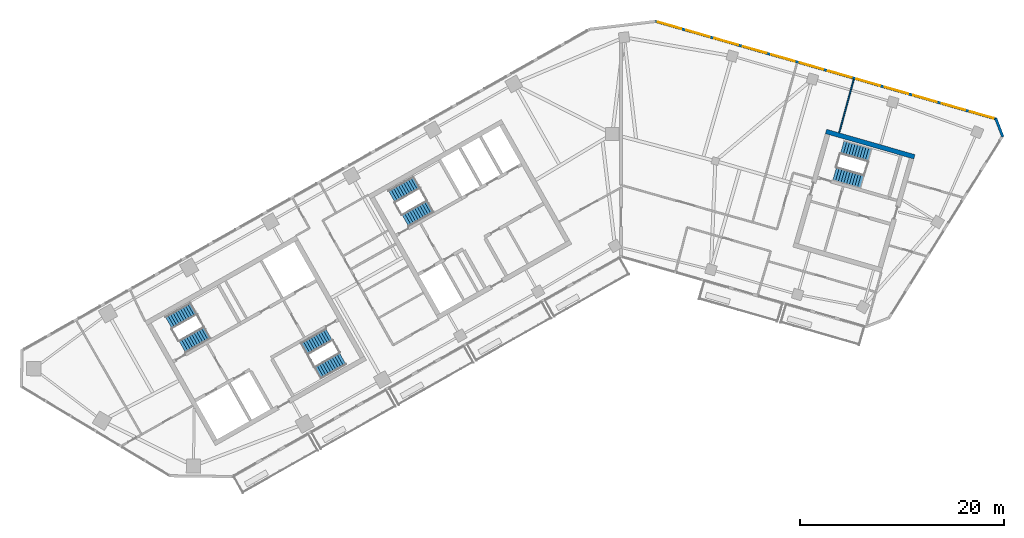
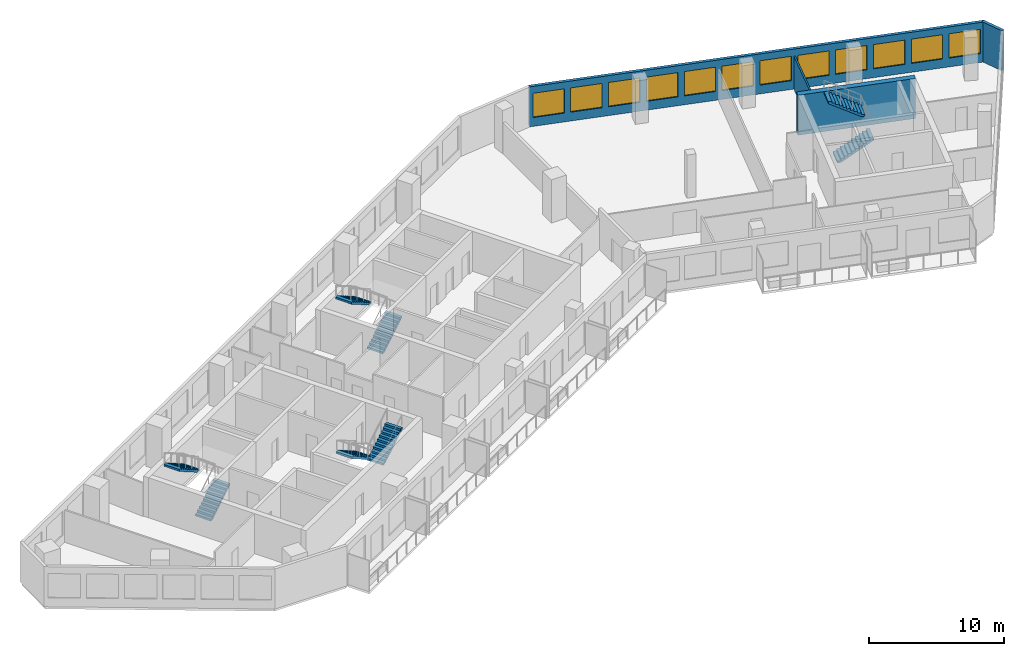
# One storey, part 8 of 11: 12 windows, 8 stair flights, 4 walls, 12 openings, 4 elements without a shape of their own.
"""IFC4 building model written with IfcOpenShell, lengths in metres."""

from ifc_helpers import new_model, si_unit, direction, frame, frame_2d, origin, place, context, subcontext, project, spatial, polyline, rectangle, outline, extrude, material, layer, layer_set, type_object, element, fill, aggregate, save


model = new_model("IFC4")

# Units and contexts
model_context = context("Model", 3, precision=1e-05, world=origin(), true_north=direction((0.0, 1.0)))
body_context = subcontext(model_context, "Body", "Model", "MODEL_VIEW")
ifc_project = project(units=[si_unit("LENGTHUNIT", "METRE"), si_unit("AREAUNIT", "SQUARE_METRE"), si_unit("VOLUMEUNIT", "CUBIC_METRE"), si_unit("PLANEANGLEUNIT", "RADIAN"), si_unit("MASSUNIT", "GRAM", prefix="KILO")], contexts=[model_context])

# Site, building, storey
site_placement = place(None, origin())
site = spatial("IfcSite", under=ifc_project, at=site_placement, CompositionType="ELEMENT")
building_placement = place(site_placement, origin())
building = spatial("IfcBuilding", under=site, at=building_placement, Name="Binnacle Exchange Tower", CompositionType="ELEMENT")
storey_placement = place(building_placement, frame((0.0, 0.0, 219.199951171875)))
storey = spatial("IfcBuildingStorey", under=building, at=storey_placement, Name="L48", CompositionType="ELEMENT", Elevation=219.199951171875)

# Walls
ifc_material_1 = material(Name="Concrete C70/85", Category="concrete")
ifc_layer_1 = layer(ifc_material_1, 0.449951171875)
ifc_layer_set_1 = layer_set([ifc_layer_1], Name="Core wall - outer 450")
wall_type_1 = type_object("IfcWallType", Name="Core wall - outer 450", PredefinedType="SOLIDWALL", material=ifc_layer_set_1)
wall_1_placement = place(storey_placement, frame((20.073486328125, 60.251708984375, 0.0), z_axis=(0.0, 0.0, 1.0), x_axis=(0.96126248289, -0.275634611374, 0.0)))
element("IfcWall", 1, at=wall_1_placement, inside=storey, type_object=wall_type_1, Name="Core wall CRWD6", PredefinedType="SOLIDWALL", context=body_context, shape_type="SweptSolid", body=[
    extrude(rectangle(XDim=9.0, YDim=0.449951171875, at=frame_2d((4.5, 0.0))), origin(), (0.0, 0.0, 1.0), 3.6201171875),
])
ifc_material_2 = material(Name="Bronze aluminium cladding", Category="aluminium")
ifc_layer_2 = layer(ifc_material_2, 0.25)
ifc_layer_set_2 = layer_set([ifc_layer_2], Name="External wall - window wall 250")
wall_type_2 = type_object("IfcWallType", Name="External wall - window wall 250", PredefinedType="STANDARD", material=ifc_layer_set_2)
wall_2_placement = place(storey_placement, frame((36.68994140625, 61.531005859375, 0.0), z_axis=(0.0, 0.0, 1.0), x_axis=(0.358377147136, -0.933576895821, 0.0)))
element("IfcWall", 2, at=wall_2_placement, inside=storey, type_object=wall_type_2, Name="External wall EW-G05 L48", PredefinedType="STANDARD", context=body_context, shape_type="SweptSolid", body=[
    extrude(rectangle(XDim=1.929931640625, YDim=0.25, at=frame_2d((0.96484375, 0.0))), origin(), (0.0, 0.0, 1.0), 3.6201171875),
])

# Wall, openings, windows
wall_3_placement = place(storey_placement, frame((3.34033203125, 71.042236328125, 0.0), z_axis=(0.0, 0.0, 1.0), x_axis=(0.96126179431, -0.275637012753, 0.0)))
wall_3 = element("IfcWall", 3, at=wall_3_placement, inside=storey, type_object=wall_type_2, Name="External wall EW-G06 L48", PredefinedType="STANDARD", context=body_context, shape_type="SweptSolid", body=[
    extrude(rectangle(XDim=34.779052734375, YDim=0.25, at=frame_2d((17.3896484375, 0.0))), origin(), (0.0, 0.0, 1.0), 3.6201171875),
])
opening_1_placement = place(wall_3_placement, frame((32.0712890625, 0.0, 0.800048828125)))
opening_1 = element("IfcOpeningElement", 4, at=opening_1_placement, cuts=wall_3, Name="Opening WR1", PredefinedType="OPENING", context=body_context, shape_type="SweptSolid", body=[
    extrude(rectangle(XDim=2.39990234375, YDim=2.199951171875, at=frame_2d((1.199951171875, 1.10009765625))), frame((0.0, 0.135009765625, 0.0), z_axis=(0.0, -1.0, 0.0), x_axis=(1.0, 0.0, 0.0)), (0.0, 0.0, 1.0), 0.27001953125),
])
opening_2_placement = place(wall_3_placement, frame((29.180419921875, 0.0, 0.800048828125)))
opening_2 = element("IfcOpeningElement", 5, at=opening_2_placement, cuts=wall_3, Name="Opening WR1", PredefinedType="OPENING", context=body_context, shape_type="SweptSolid", body=[
    extrude(rectangle(XDim=2.39990234375, YDim=2.199951171875, at=frame_2d((1.199951171875, 1.10009765625))), frame((0.0, 0.135009765625, 0.0), z_axis=(0.0, -1.0, 0.0), x_axis=(1.0, 0.0, 0.0)), (0.0, 0.0, 1.0), 0.27001953125),
])
opening_3_placement = place(wall_3_placement, frame((26.289306640625, 0.0, 0.800048828125)))
opening_3 = element("IfcOpeningElement", 6, at=opening_3_placement, cuts=wall_3, Name="Opening WR1", PredefinedType="OPENING", context=body_context, shape_type="SweptSolid", body=[
    extrude(rectangle(XDim=2.39990234375, YDim=2.199951171875, at=frame_2d((1.199951171875, 1.10009765625))), frame((0.0, 0.135009765625, 0.0), z_axis=(0.0, -1.0, 0.0), x_axis=(1.0, 0.0, 0.0)), (0.0, 0.0, 1.0), 0.27001953125),
])
opening_4_placement = place(wall_3_placement, frame((23.3984375, 0.0, 0.800048828125)))
opening_4 = element("IfcOpeningElement", 7, at=opening_4_placement, cuts=wall_3, Name="Opening WR1", PredefinedType="OPENING", context=body_context, shape_type="SweptSolid", body=[
    extrude(rectangle(XDim=2.39990234375, YDim=2.199951171875, at=frame_2d((1.199951171875, 1.10009765625))), frame((0.0, 0.135009765625, 0.0), z_axis=(0.0, -1.0, 0.0), x_axis=(1.0, 0.0, 0.0)), (0.0, 0.0, 1.0), 0.27001953125),
])
opening_5_placement = place(wall_3_placement, frame((20.507568359375, 0.0, 0.800048828125)))
opening_5 = element("IfcOpeningElement", 8, at=opening_5_placement, cuts=wall_3, Name="Opening WR1", PredefinedType="OPENING", context=body_context, shape_type="SweptSolid", body=[
    extrude(rectangle(XDim=2.39990234375, YDim=2.199951171875, at=frame_2d((1.199951171875, 1.10009765625))), frame((0.0, 0.135009765625, 0.0), z_axis=(0.0, -1.0, 0.0), x_axis=(1.0, 0.0, 0.0)), (0.0, 0.0, 1.0), 0.27001953125),
])
opening_6_placement = place(wall_3_placement, frame((17.616455078125, 0.0, 0.800048828125)))
opening_6 = element("IfcOpeningElement", 9, at=opening_6_placement, cuts=wall_3, Name="Opening WR1", PredefinedType="OPENING", context=body_context, shape_type="SweptSolid", body=[
    extrude(rectangle(XDim=2.39990234375, YDim=2.199951171875, at=frame_2d((1.199951171875, 1.10009765625))), frame((0.0, 0.135009765625, 0.0), z_axis=(0.0, -1.0, 0.0), x_axis=(1.0, 0.0, 0.0)), (0.0, 0.0, 1.0), 0.27001953125),
])
opening_7_placement = place(wall_3_placement, frame((14.7255859375, 0.0, 0.800048828125)))
opening_7 = element("IfcOpeningElement", 10, at=opening_7_placement, cuts=wall_3, Name="Opening WR1", PredefinedType="OPENING", context=body_context, shape_type="SweptSolid", body=[
    extrude(rectangle(XDim=2.39990234375, YDim=2.199951171875, at=frame_2d((1.199951171875, 1.10009765625))), frame((0.0, 0.135009765625, 0.0), z_axis=(0.0, -1.0, 0.0), x_axis=(1.0, 0.0, 0.0)), (0.0, 0.0, 1.0), 0.27001953125),
])
opening_8_placement = place(wall_3_placement, frame((11.83447265625, 0.0, 0.800048828125)))
opening_8 = element("IfcOpeningElement", 11, at=opening_8_placement, cuts=wall_3, Name="Opening WR1", PredefinedType="OPENING", context=body_context, shape_type="SweptSolid", body=[
    extrude(rectangle(XDim=2.39990234375, YDim=2.199951171875, at=frame_2d((1.199951171875, 1.10009765625))), frame((0.0, 0.135009765625, 0.0), z_axis=(0.0, -1.0, 0.0), x_axis=(1.0, 0.0, 0.0)), (0.0, 0.0, 1.0), 0.27001953125),
])
opening_9_placement = place(wall_3_placement, frame((8.943603515625, 0.0, 0.800048828125)))
opening_9 = element("IfcOpeningElement", 12, at=opening_9_placement, cuts=wall_3, Name="Opening WR1", PredefinedType="OPENING", context=body_context, shape_type="SweptSolid", body=[
    extrude(rectangle(XDim=2.39990234375, YDim=2.199951171875, at=frame_2d((1.199951171875, 1.10009765625))), frame((0.0, 0.135009765625, 0.0), z_axis=(0.0, -1.0, 0.0), x_axis=(1.0, 0.0, 0.0)), (0.0, 0.0, 1.0), 0.27001953125),
])
opening_10_placement = place(wall_3_placement, frame((6.052490234375, 0.0, 0.800048828125)))
opening_10 = element("IfcOpeningElement", 13, at=opening_10_placement, cuts=wall_3, Name="Opening WR1", PredefinedType="OPENING", context=body_context, shape_type="SweptSolid", body=[
    extrude(rectangle(XDim=2.39990234375, YDim=2.199951171875, at=frame_2d((1.199951171875, 1.10009765625))), frame((0.0, 0.135009765625, 0.0), z_axis=(0.0, -1.0, 0.0), x_axis=(1.0, 0.0, 0.0)), (0.0, 0.0, 1.0), 0.27001953125),
])
opening_11_placement = place(wall_3_placement, frame((3.16162109375, 0.0, 0.800048828125)))
opening_11 = element("IfcOpeningElement", 14, at=opening_11_placement, cuts=wall_3, Name="Opening WR1", PredefinedType="OPENING", context=body_context, shape_type="SweptSolid", body=[
    extrude(rectangle(XDim=2.39990234375, YDim=2.199951171875, at=frame_2d((1.199951171875, 1.10009765625))), frame((0.0, 0.135009765625, 0.0), z_axis=(0.0, -1.0, 0.0), x_axis=(1.0, 0.0, 0.0)), (0.0, 0.0, 1.0), 0.27001953125),
])
opening_12_placement = place(wall_3_placement, frame((0.2705078125, 0.0, 0.800048828125)))
opening_12 = element("IfcOpeningElement", 15, at=opening_12_placement, cuts=wall_3, Name="Opening WR1", PredefinedType="OPENING", context=body_context, shape_type="SweptSolid", body=[
    extrude(rectangle(XDim=2.39990234375, YDim=2.199951171875, at=frame_2d((1.199951171875, 1.10009765625))), frame((0.0, 0.135009765625, 0.0), z_axis=(0.0, -1.0, 0.0), x_axis=(1.0, 0.0, 0.0)), (0.0, 0.0, 1.0), 0.27001953125),
])
ifc_material_3 = material(Name="Bronze anodised aluminium frame", Category="aluminium")
window_type = type_object("IfcWindowType", Name="WR1 WINDOW 2400x2200", PartitioningType="SINGLE_PANEL", PredefinedType="WINDOW", material=ifc_material_3)
window_1_placement = place(opening_1_placement, origin())
window_1 = element("IfcWindow", 16, at=window_1_placement, inside=storey, type_object=window_type, Name="Window WR1 L48", OverallHeight=2.199951171875, OverallWidth=2.39990234375, PartitioningType="SINGLE_PANEL", PredefinedType="WINDOW", context=body_context, shape_type="SweptSolid", body=[
    extrude(rectangle(XDim=2.39990234375, YDim=2.199951171875, at=frame_2d((1.199951171875, 1.10009765625))), frame((0.0, 0.030029296875, 0.0), z_axis=(0.0, -1.0, 0.0), x_axis=(1.0, 0.0, 0.0)), (0.0, 0.0, 1.0), 0.06005859375),
])
fill(opening_1, window_1)
window_2_placement = place(opening_2_placement, origin())
window_2 = element("IfcWindow", 17, at=window_2_placement, inside=storey, type_object=window_type, Name="Window WR1 L48", OverallHeight=2.199951171875, OverallWidth=2.39990234375, PartitioningType="SINGLE_PANEL", PredefinedType="WINDOW", context=body_context, shape_type="SweptSolid", body=[
    extrude(rectangle(XDim=2.39990234375, YDim=2.199951171875, at=frame_2d((1.199951171875, 1.10009765625))), frame((0.0, 0.030029296875, 0.0), z_axis=(0.0, -1.0, 0.0), x_axis=(1.0, 0.0, 0.0)), (0.0, 0.0, 1.0), 0.06005859375),
])
fill(opening_2, window_2)
window_3_placement = place(opening_3_placement, origin())
window_3 = element("IfcWindow", 18, at=window_3_placement, inside=storey, type_object=window_type, Name="Window WR1 L48", OverallHeight=2.199951171875, OverallWidth=2.39990234375, PartitioningType="SINGLE_PANEL", PredefinedType="WINDOW", context=body_context, shape_type="SweptSolid", body=[
    extrude(rectangle(XDim=2.39990234375, YDim=2.199951171875, at=frame_2d((1.199951171875, 1.10009765625))), frame((0.0, 0.030029296875, 0.0), z_axis=(0.0, -1.0, 0.0), x_axis=(1.0, 0.0, 0.0)), (0.0, 0.0, 1.0), 0.06005859375),
])
fill(opening_3, window_3)
window_4_placement = place(opening_4_placement, origin())
window_4 = element("IfcWindow", 19, at=window_4_placement, inside=storey, type_object=window_type, Name="Window WR1 L48", OverallHeight=2.199951171875, OverallWidth=2.39990234375, PartitioningType="SINGLE_PANEL", PredefinedType="WINDOW", context=body_context, shape_type="SweptSolid", body=[
    extrude(rectangle(XDim=2.39990234375, YDim=2.199951171875, at=frame_2d((1.199951171875, 1.10009765625))), frame((0.0, 0.030029296875, 0.0), z_axis=(0.0, -1.0, 0.0), x_axis=(1.0, 0.0, 0.0)), (0.0, 0.0, 1.0), 0.06005859375),
])
fill(opening_4, window_4)
window_5_placement = place(opening_5_placement, origin())
window_5 = element("IfcWindow", 20, at=window_5_placement, inside=storey, type_object=window_type, Name="Window WR1 L48", OverallHeight=2.199951171875, OverallWidth=2.39990234375, PartitioningType="SINGLE_PANEL", PredefinedType="WINDOW", context=body_context, shape_type="SweptSolid", body=[
    extrude(rectangle(XDim=2.39990234375, YDim=2.199951171875, at=frame_2d((1.199951171875, 1.10009765625))), frame((0.0, 0.030029296875, 0.0), z_axis=(0.0, -1.0, 0.0), x_axis=(1.0, 0.0, 0.0)), (0.0, 0.0, 1.0), 0.06005859375),
])
fill(opening_5, window_5)
window_6_placement = place(opening_6_placement, origin())
window_6 = element("IfcWindow", 21, at=window_6_placement, inside=storey, type_object=window_type, Name="Window WR1 L48", OverallHeight=2.199951171875, OverallWidth=2.39990234375, PartitioningType="SINGLE_PANEL", PredefinedType="WINDOW", context=body_context, shape_type="SweptSolid", body=[
    extrude(rectangle(XDim=2.39990234375, YDim=2.199951171875, at=frame_2d((1.199951171875, 1.10009765625))), frame((0.0, 0.030029296875, 0.0), z_axis=(0.0, -1.0, 0.0), x_axis=(1.0, 0.0, 0.0)), (0.0, 0.0, 1.0), 0.06005859375),
])
fill(opening_6, window_6)
window_7_placement = place(opening_7_placement, origin())
window_7 = element("IfcWindow", 22, at=window_7_placement, inside=storey, type_object=window_type, Name="Window WR1 L48", OverallHeight=2.199951171875, OverallWidth=2.39990234375, PartitioningType="SINGLE_PANEL", PredefinedType="WINDOW", context=body_context, shape_type="SweptSolid", body=[
    extrude(rectangle(XDim=2.39990234375, YDim=2.199951171875, at=frame_2d((1.199951171875, 1.10009765625))), frame((0.0, 0.030029296875, 0.0), z_axis=(0.0, -1.0, 0.0), x_axis=(1.0, 0.0, 0.0)), (0.0, 0.0, 1.0), 0.06005859375),
])
fill(opening_7, window_7)
window_8_placement = place(opening_8_placement, origin())
window_8 = element("IfcWindow", 23, at=window_8_placement, inside=storey, type_object=window_type, Name="Window WR1 L48", OverallHeight=2.199951171875, OverallWidth=2.39990234375, PartitioningType="SINGLE_PANEL", PredefinedType="WINDOW", context=body_context, shape_type="SweptSolid", body=[
    extrude(rectangle(XDim=2.39990234375, YDim=2.199951171875, at=frame_2d((1.199951171875, 1.10009765625))), frame((0.0, 0.030029296875, 0.0), z_axis=(0.0, -1.0, 0.0), x_axis=(1.0, 0.0, 0.0)), (0.0, 0.0, 1.0), 0.06005859375),
])
fill(opening_8, window_8)
window_9_placement = place(opening_9_placement, origin())
window_9 = element("IfcWindow", 24, at=window_9_placement, inside=storey, type_object=window_type, Name="Window WR1 L48", OverallHeight=2.199951171875, OverallWidth=2.39990234375, PartitioningType="SINGLE_PANEL", PredefinedType="WINDOW", context=body_context, shape_type="SweptSolid", body=[
    extrude(rectangle(XDim=2.39990234375, YDim=2.199951171875, at=frame_2d((1.199951171875, 1.10009765625))), frame((0.0, 0.030029296875, 0.0), z_axis=(0.0, -1.0, 0.0), x_axis=(1.0, 0.0, 0.0)), (0.0, 0.0, 1.0), 0.06005859375),
])
fill(opening_9, window_9)
window_10_placement = place(opening_10_placement, origin())
window_10 = element("IfcWindow", 25, at=window_10_placement, inside=storey, type_object=window_type, Name="Window WR1 L48", OverallHeight=2.199951171875, OverallWidth=2.39990234375, PartitioningType="SINGLE_PANEL", PredefinedType="WINDOW", context=body_context, shape_type="SweptSolid", body=[
    extrude(rectangle(XDim=2.39990234375, YDim=2.199951171875, at=frame_2d((1.199951171875, 1.10009765625))), frame((0.0, 0.030029296875, 0.0), z_axis=(0.0, -1.0, 0.0), x_axis=(1.0, 0.0, 0.0)), (0.0, 0.0, 1.0), 0.06005859375),
])
fill(opening_10, window_10)
window_11_placement = place(opening_11_placement, origin())
window_11 = element("IfcWindow", 26, at=window_11_placement, inside=storey, type_object=window_type, Name="Window WR1 L48", OverallHeight=2.199951171875, OverallWidth=2.39990234375, PartitioningType="SINGLE_PANEL", PredefinedType="WINDOW", context=body_context, shape_type="SweptSolid", body=[
    extrude(rectangle(XDim=2.39990234375, YDim=2.199951171875, at=frame_2d((1.199951171875, 1.10009765625))), frame((0.0, 0.030029296875, 0.0), z_axis=(0.0, -1.0, 0.0), x_axis=(1.0, 0.0, 0.0)), (0.0, 0.0, 1.0), 0.06005859375),
])
fill(opening_11, window_11)
window_12_placement = place(opening_12_placement, origin())
window_12 = element("IfcWindow", 27, at=window_12_placement, inside=storey, type_object=window_type, Name="Window WR1 L48", OverallHeight=2.199951171875, OverallWidth=2.39990234375, PartitioningType="SINGLE_PANEL", PredefinedType="WINDOW", context=body_context, shape_type="SweptSolid", body=[
    extrude(rectangle(XDim=2.39990234375, YDim=2.199951171875, at=frame_2d((1.199951171875, 1.10009765625))), frame((0.0, 0.030029296875, 0.0), z_axis=(0.0, -1.0, 0.0), x_axis=(1.0, 0.0, 0.0)), (0.0, 0.0, 1.0), 0.06005859375),
])
fill(opening_12, window_12)

# Wall
ifc_material_4 = material(Name="Gypsum partition")
ifc_layer_3 = layer(ifc_material_4, 0.125)
ifc_layer_set_3 = layer_set([ifc_layer_3], Name="Partition 125")
wall_type_3 = type_object("IfcWallType", Name="Partition 125", PredefinedType="PARTITIONING", material=ifc_layer_set_3)
wall_4_placement = place(storey_placement, frame((21.360107421875, 60.116943359375, 0.0), z_axis=(0.0, 0.0, 1.0), x_axis=(0.263151767798, 0.964754449124, 0.0)))
element("IfcWall", 28, at=wall_4_placement, inside=storey, type_object=wall_type_3, Name="Partition W34", PredefinedType="PARTITIONING", context=body_context, shape_type="SweptSolid", body=[
    extrude(rectangle(XDim=5.41064453125, YDim=0.125, at=frame_2d((2.705322265625, 0.0))), origin(), (0.0, 0.0, 1.0), 3.0),
])

# Stair, stair flights
ifc_material_5 = material(Name="Concrete C35/45", Category="concrete")
stair_type = type_object("IfcStairType", Name="STAIR 22 RISERS 177", PredefinedType="HALF_TURN_STAIR", material=ifc_material_5)
stair_1_placement = place(storey_placement, origin())
stair_1 = element("IfcStair", 29, at=stair_1_placement, inside=storey, type_object=stair_type, Name="L48 Escape stair A1", PredefinedType="HALF_TURN_STAIR")
stair_flight_type = type_object("IfcStairFlightType", Name="STAIR FLIGHT 177X280", PredefinedType="STRAIGHT", material=ifc_material_5)
stair_flight_1_placement = place(storey_placement, frame((-42.9541015625, 39.17333984375, 0.0), z_axis=(0.0, 0.0, 1.0), x_axis=(0.870355584213, 0.492423757581, 0.0)))
stair_flight_1 = element("IfcStairFlight", 30, at=stair_flight_1_placement, type_object=stair_flight_type, Name="STA1 flight 1", NumberOfRisers=11, NumberOfTreads=10, PredefinedType="STRAIGHT", RiserHeight=0.177272727, TreadLength=0.28, context=body_context, shape_type="SweptSolid", body=[
    extrude(outline(polyline([(0.0, 0.0), (0.0, 0.17724609375), (0.280029296875, 0.17724609375), (0.280029296875, 0.3544921875), (0.56005859375, 0.3544921875), (0.56005859375, 0.53173828125), (0.840087890625, 0.53173828125), (0.840087890625, 0.708984375), (1.1201171875, 0.708984375), (1.1201171875, 0.886474609375), (1.39990234375, 0.886474609375), (1.39990234375, 1.063720703125), (1.679931640625, 1.063720703125), (1.679931640625, 1.240966796875), (1.9599609375, 1.240966796875), (1.9599609375, 1.418212890625), (2.239990234375, 1.418212890625), (2.239990234375, 1.595458984375), (2.52001953125, 1.595458984375), (2.52001953125, 1.772705078125), (2.800048828125, 1.772705078125), (2.800048828125, 1.949951171875), (2.800048828125, 1.59521484375), (0.2802734375, 0.0), (0.0, 0.0)])), frame((0.0, 0.675048828125, 0.0), z_axis=(0.0, -1.0, 0.0), x_axis=(1.0, 0.0, 0.0)), (0.0, 0.0, 1.0), 1.35009765625),
])
stair_flight_2_placement = place(storey_placement, frame((-41.846435546875, 42.902099609375, 1.949951171875), z_axis=(0.0, 0.0, 1.0), x_axis=(-0.870355584213, -0.492423757581, 0.0)))
stair_flight_2 = element("IfcStairFlight", 31, at=stair_flight_2_placement, type_object=stair_flight_type, Name="STA1 flight 2", NumberOfRisers=11, NumberOfTreads=10, PredefinedType="STRAIGHT", RiserHeight=0.177272727, TreadLength=0.28, context=body_context, shape_type="SweptSolid", body=[
    extrude(outline(polyline([(0.0, 0.0), (0.0, 0.17724609375), (0.280029296875, 0.17724609375), (0.280029296875, 0.3544921875), (0.56005859375, 0.3544921875), (0.56005859375, 0.53173828125), (0.840087890625, 0.53173828125), (0.840087890625, 0.708984375), (1.1201171875, 0.708984375), (1.1201171875, 0.886474609375), (1.39990234375, 0.886474609375), (1.39990234375, 1.063720703125), (1.679931640625, 1.063720703125), (1.679931640625, 1.240966796875), (1.9599609375, 1.240966796875), (1.9599609375, 1.418212890625), (2.239990234375, 1.418212890625), (2.239990234375, 1.595458984375), (2.52001953125, 1.595458984375), (2.52001953125, 1.772705078125), (2.800048828125, 1.772705078125), (2.800048828125, 1.949951171875), (2.800048828125, 1.59521484375), (0.2802734375, 0.0), (0.0, 0.0)])), frame((0.0, 0.675048828125, 0.0), z_axis=(0.0, -1.0, 0.0), x_axis=(1.0, 0.0, 0.0)), (0.0, 0.0, 1.0), 1.35009765625),
])
aggregate(stair_1, [stair_flight_1, stair_flight_2])

stair_2_placement = place(storey_placement, origin())
stair_2 = element("IfcStair", 32, at=stair_2_placement, inside=storey, type_object=stair_type, Name="L48 Escape stair A2", PredefinedType="HALF_TURN_STAIR")
stair_flight_3_placement = place(storey_placement, frame((-28.5732421875, 40.3583984375, 0.0), z_axis=(0.0, 0.0, 1.0), x_axis=(-0.870355584213, -0.492423757581, 0.0)))
stair_flight_3 = element("IfcStairFlight", 33, at=stair_flight_3_placement, type_object=stair_flight_type, Name="STA2 flight 1", NumberOfRisers=11, NumberOfTreads=10, PredefinedType="STRAIGHT", RiserHeight=0.177272727, TreadLength=0.28, context=body_context, shape_type="SweptSolid", body=[
    extrude(outline(polyline([(0.0, 0.0), (0.0, 0.17724609375), (0.280029296875, 0.17724609375), (0.280029296875, 0.3544921875), (0.56005859375, 0.3544921875), (0.56005859375, 0.53173828125), (0.840087890625, 0.53173828125), (0.840087890625, 0.708984375), (1.1201171875, 0.708984375), (1.1201171875, 0.886474609375), (1.39990234375, 0.886474609375), (1.39990234375, 1.063720703125), (1.679931640625, 1.063720703125), (1.679931640625, 1.240966796875), (1.9599609375, 1.240966796875), (1.9599609375, 1.418212890625), (2.239990234375, 1.418212890625), (2.239990234375, 1.595458984375), (2.52001953125, 1.595458984375), (2.52001953125, 1.772705078125), (2.800048828125, 1.772705078125), (2.800048828125, 1.949951171875), (2.800048828125, 1.59521484375), (0.2802734375, 0.0), (0.0, 0.0)])), frame((0.0, 0.675048828125, 0.0), z_axis=(0.0, -1.0, 0.0), x_axis=(1.0, 0.0, 0.0)), (0.0, 0.0, 1.0), 1.35009765625),
])
stair_flight_4_placement = place(storey_placement, frame((-29.6806640625, 36.629638671875, 1.949951171875), z_axis=(0.0, 0.0, 1.0), x_axis=(0.870355584213, 0.492423757581, 0.0)))
stair_flight_4 = element("IfcStairFlight", 34, at=stair_flight_4_placement, type_object=stair_flight_type, Name="STA2 flight 2", NumberOfRisers=11, NumberOfTreads=10, PredefinedType="STRAIGHT", RiserHeight=0.177272727, TreadLength=0.28, context=body_context, shape_type="SweptSolid", body=[
    extrude(outline(polyline([(0.0, 0.0), (0.0, 0.17724609375), (0.280029296875, 0.17724609375), (0.280029296875, 0.3544921875), (0.56005859375, 0.3544921875), (0.56005859375, 0.53173828125), (0.840087890625, 0.53173828125), (0.840087890625, 0.708984375), (1.1201171875, 0.708984375), (1.1201171875, 0.886474609375), (1.39990234375, 0.886474609375), (1.39990234375, 1.063720703125), (1.679931640625, 1.063720703125), (1.679931640625, 1.240966796875), (1.9599609375, 1.240966796875), (1.9599609375, 1.418212890625), (2.239990234375, 1.418212890625), (2.239990234375, 1.595458984375), (2.52001953125, 1.595458984375), (2.52001953125, 1.772705078125), (2.800048828125, 1.772705078125), (2.800048828125, 1.949951171875), (2.800048828125, 1.59521484375), (0.2802734375, 0.0), (0.0, 0.0)])), frame((0.0, 0.675048828125, 0.0), z_axis=(0.0, -1.0, 0.0), x_axis=(1.0, 0.0, 0.0)), (0.0, 0.0, 1.0), 1.35009765625),
])
aggregate(stair_2, [stair_flight_3, stair_flight_4])

stair_3_placement = place(storey_placement, origin())
stair_3 = element("IfcStair", 35, at=stair_3_placement, inside=storey, type_object=stair_type, Name="L48 Escape stair C1", PredefinedType="HALF_TURN_STAIR")
stair_flight_5_placement = place(storey_placement, frame((-21.115966796875, 51.528564453125, 0.0), z_axis=(0.0, 0.0, 1.0), x_axis=(0.870355584213, 0.492423757581, 0.0)))
stair_flight_5 = element("IfcStairFlight", 36, at=stair_flight_5_placement, type_object=stair_flight_type, Name="STC1 flight 1", NumberOfRisers=11, NumberOfTreads=10, PredefinedType="STRAIGHT", RiserHeight=0.177272727, TreadLength=0.28, context=body_context, shape_type="SweptSolid", body=[
    extrude(outline(polyline([(0.0, 0.0), (0.0, 0.17724609375), (0.280029296875, 0.17724609375), (0.280029296875, 0.3544921875), (0.56005859375, 0.3544921875), (0.56005859375, 0.53173828125), (0.840087890625, 0.53173828125), (0.840087890625, 0.708984375), (1.1201171875, 0.708984375), (1.1201171875, 0.886474609375), (1.39990234375, 0.886474609375), (1.39990234375, 1.063720703125), (1.679931640625, 1.063720703125), (1.679931640625, 1.240966796875), (1.9599609375, 1.240966796875), (1.9599609375, 1.418212890625), (2.239990234375, 1.418212890625), (2.239990234375, 1.595458984375), (2.52001953125, 1.595458984375), (2.52001953125, 1.772705078125), (2.800048828125, 1.772705078125), (2.800048828125, 1.949951171875), (2.800048828125, 1.59521484375), (0.2802734375, 0.0), (0.0, 0.0)])), frame((0.0, 0.675048828125, 0.0), z_axis=(0.0, -1.0, 0.0), x_axis=(1.0, 0.0, 0.0)), (0.0, 0.0, 1.0), 1.35009765625),
])
stair_flight_6_placement = place(storey_placement, frame((-20.008544921875, 55.25732421875, 1.949951171875), z_axis=(0.0, 0.0, 1.0), x_axis=(-0.870355584213, -0.492423757581, 0.0)))
stair_flight_6 = element("IfcStairFlight", 37, at=stair_flight_6_placement, type_object=stair_flight_type, Name="STC1 flight 2", NumberOfRisers=11, NumberOfTreads=10, PredefinedType="STRAIGHT", RiserHeight=0.177272727, TreadLength=0.28, context=body_context, shape_type="SweptSolid", body=[
    extrude(outline(polyline([(0.0, 0.0), (0.0, 0.17724609375), (0.280029296875, 0.17724609375), (0.280029296875, 0.3544921875), (0.56005859375, 0.3544921875), (0.56005859375, 0.53173828125), (0.840087890625, 0.53173828125), (0.840087890625, 0.708984375), (1.1201171875, 0.708984375), (1.1201171875, 0.886474609375), (1.39990234375, 0.886474609375), (1.39990234375, 1.063720703125), (1.679931640625, 1.063720703125), (1.679931640625, 1.240966796875), (1.9599609375, 1.240966796875), (1.9599609375, 1.418212890625), (2.239990234375, 1.418212890625), (2.239990234375, 1.595458984375), (2.52001953125, 1.595458984375), (2.52001953125, 1.772705078125), (2.800048828125, 1.772705078125), (2.800048828125, 1.949951171875), (2.800048828125, 1.59521484375), (0.2802734375, 0.0), (0.0, 0.0)])), frame((0.0, 0.675048828125, 0.0), z_axis=(0.0, -1.0, 0.0), x_axis=(1.0, 0.0, 0.0)), (0.0, 0.0, 1.0), 1.35009765625),
])
aggregate(stair_3, [stair_flight_5, stair_flight_6])

stair_4_placement = place(storey_placement, origin())
stair_4 = element("IfcStair", 38, at=stair_4_placement, inside=storey, type_object=stair_type, Name="L48 Escape stair D1", PredefinedType="HALF_TURN_STAIR")
stair_flight_7_placement = place(storey_placement, frame((20.914306640625, 56.109619140625, 0.0), z_axis=(0.0, 0.0, 1.0), x_axis=(0.961261811397, -0.275636953165, 0.0)))
stair_flight_7 = element("IfcStairFlight", 39, at=stair_flight_7_placement, type_object=stair_flight_type, Name="STD1 flight 1", NumberOfRisers=11, NumberOfTreads=10, PredefinedType="STRAIGHT", RiserHeight=0.177272727, TreadLength=0.28, context=body_context, shape_type="SweptSolid", body=[
    extrude(outline(polyline([(0.0, 0.0), (0.0, 0.17724609375), (0.280029296875, 0.17724609375), (0.280029296875, 0.3544921875), (0.56005859375, 0.3544921875), (0.56005859375, 0.53173828125), (0.840087890625, 0.53173828125), (0.840087890625, 0.708984375), (1.1201171875, 0.708984375), (1.1201171875, 0.886474609375), (1.39990234375, 0.886474609375), (1.39990234375, 1.063720703125), (1.679931640625, 1.063720703125), (1.679931640625, 1.240966796875), (1.9599609375, 1.240966796875), (1.9599609375, 1.418212890625), (2.239990234375, 1.418212890625), (2.239990234375, 1.595458984375), (2.52001953125, 1.595458984375), (2.52001953125, 1.772705078125), (2.800048828125, 1.772705078125), (2.800048828125, 1.949951171875), (2.800048828125, 1.59521484375), (0.2802734375, 0.0), (0.0, 0.0)])), frame((0.0, 0.675048828125, 0.0), z_axis=(0.0, -1.0, 0.0), x_axis=(1.0, 0.0, 0.0)), (0.0, 0.0, 1.0), 1.35009765625),
])
stair_flight_8_placement = place(storey_placement, frame((24.35009765625, 57.93310546875, 1.949951171875), z_axis=(0.0, 0.0, 1.0), x_axis=(-0.961261811397, 0.275636953165, 0.0)))
stair_flight_8 = element("IfcStairFlight", 40, at=stair_flight_8_placement, type_object=stair_flight_type, Name="STD1 flight 2", NumberOfRisers=11, NumberOfTreads=10, PredefinedType="STRAIGHT", RiserHeight=0.177272727, TreadLength=0.28, context=body_context, shape_type="SweptSolid", body=[
    extrude(outline(polyline([(0.0, 0.0), (0.0, 0.17724609375), (0.280029296875, 0.17724609375), (0.280029296875, 0.3544921875), (0.56005859375, 0.3544921875), (0.56005859375, 0.53173828125), (0.840087890625, 0.53173828125), (0.840087890625, 0.708984375), (1.1201171875, 0.708984375), (1.1201171875, 0.886474609375), (1.39990234375, 0.886474609375), (1.39990234375, 1.063720703125), (1.679931640625, 1.063720703125), (1.679931640625, 1.240966796875), (1.9599609375, 1.240966796875), (1.9599609375, 1.418212890625), (2.239990234375, 1.418212890625), (2.239990234375, 1.595458984375), (2.52001953125, 1.595458984375), (2.52001953125, 1.772705078125), (2.800048828125, 1.772705078125), (2.800048828125, 1.949951171875), (2.800048828125, 1.59521484375), (0.2802734375, 0.0), (0.0, 0.0)])), frame((0.0, 0.675048828125, 0.0), z_axis=(0.0, -1.0, 0.0), x_axis=(1.0, 0.0, 0.0)), (0.0, 0.0, 1.0), 1.35009765625),
])
aggregate(stair_4, [stair_flight_7, stair_flight_8])

save(model, "model.ifc")
